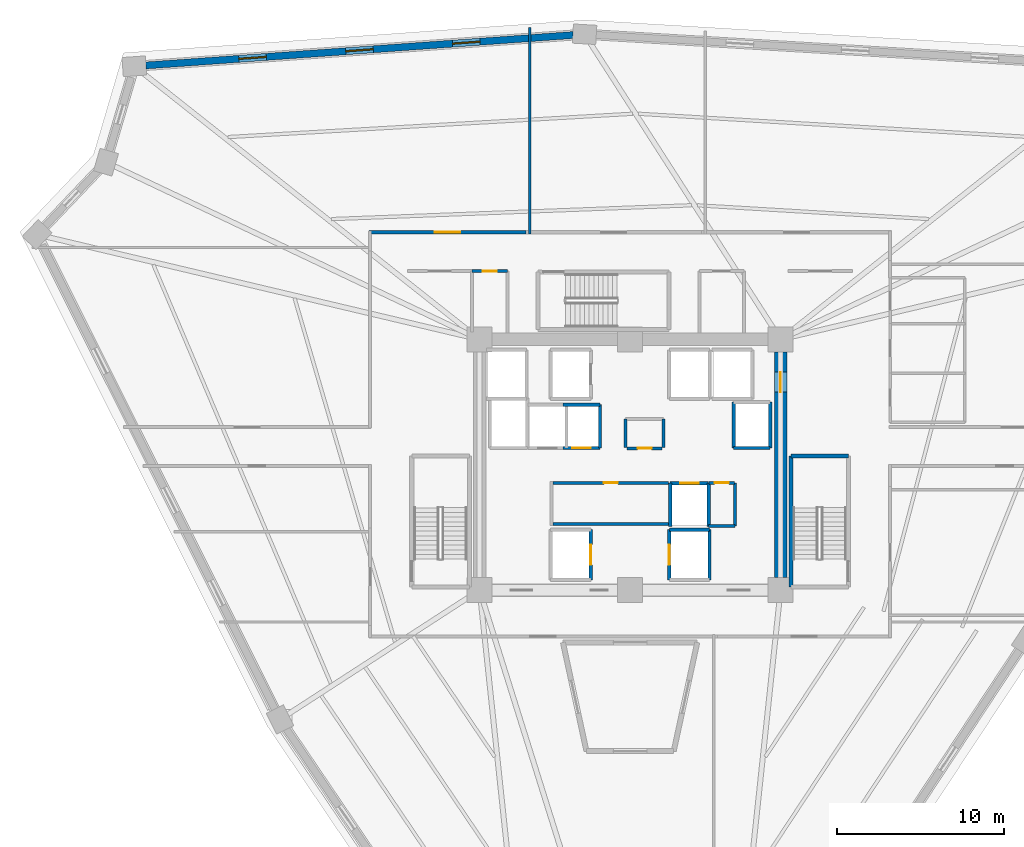
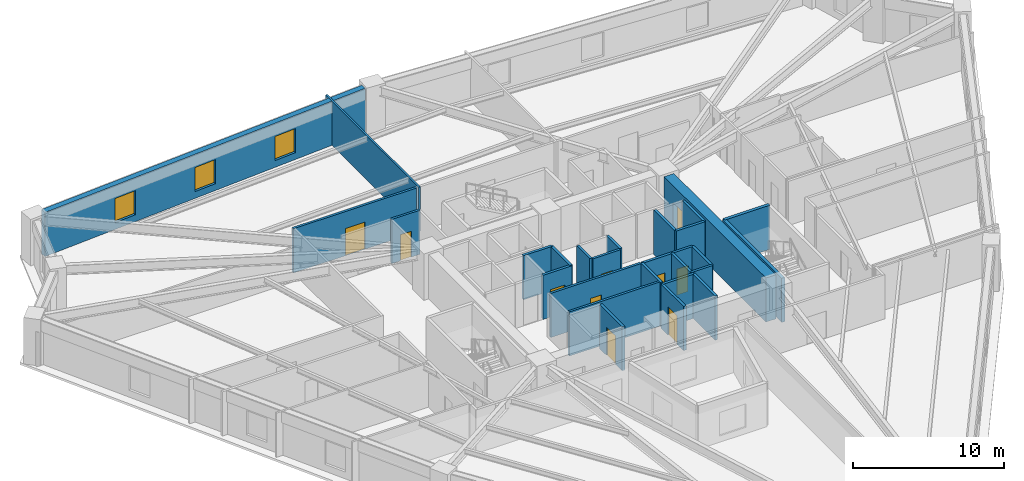
# One storey, part 5 of 9: 28 walls, 10 doors, 3 windows, 13 openings.
"""IFC4 building model written with IfcOpenShell, lengths in metres."""

from ifc_helpers import new_model, si_unit, direction, frame, frame_2d, origin, place, context, subcontext, project, spatial, rectangle, extrude, source, transform, mapped, material, layer, layer_set, type_object, element, fill, save


model = new_model("IFC4")

# Units and contexts
model_context = context("Model", 3, precision=1e-05, world=origin(), true_north=direction((0.0, 1.0)))
body_context = subcontext(model_context, "Body", "Model", "MODEL_VIEW")
ifc_project = project(units=[si_unit("LENGTHUNIT", "METRE"), si_unit("AREAUNIT", "SQUARE_METRE"), si_unit("VOLUMEUNIT", "CUBIC_METRE"), si_unit("PLANEANGLEUNIT", "RADIAN"), si_unit("MASSUNIT", "GRAM", prefix="KILO")], contexts=[model_context])

# Site, building, storey
site_placement = place(None, origin())
site = spatial("IfcSite", under=ifc_project, at=site_placement, CompositionType="ELEMENT")
building_placement = place(site_placement, origin())
building = spatial("IfcBuilding", under=site, at=building_placement, Name="Liaohun Quay Tower", CompositionType="ELEMENT")
storey_placement = place(building_placement, frame((0.0, 0.0, 144.0)))
storey = spatial("IfcBuildingStorey", under=building, at=storey_placement, Name="L37", CompositionType="ELEMENT", Elevation=144.0)

# Wall, opening, door
ifc_material_1 = material(Name="Concrete C60", Category="concrete")
ifc_layer_1 = layer(ifc_material_1, 0.75, Name="Concrete C60", Category="concrete")
ifc_layer_set_1 = layer_set([ifc_layer_1], Name="Concrete C60")
wall_type_1 = type_object("IfcWallType", Name="WAL-COR-Z2", PredefinedType="SHEAR", material=ifc_layer_set_1)
wall_1_placement = place(storey_placement, frame((69.0, 60.75, 0.0), z_axis=(0.0, 0.0, 1.0), x_axis=(0.0, -1.0, 0.0)))
wall_1 = element("IfcWall", 1, at=wall_1_placement, inside=storey, type_object=wall_type_1, Name="L37 Central Core Shear Wall E", PredefinedType="SHEAR", context=body_context, shape_type="SweptSolid", body=[
    extrude(rectangle(XDim=13.5, YDim=0.75, at=frame_2d((6.75, 0.0))), origin(), (0.0, 0.0, 1.0), 3.570068359375),
])
shared_shape_1 = source(origin(), body_context, "Body", "SweptSolid", [
    extrude(rectangle(XDim=1.199951171875, YDim=2.199951171875, at=frame_2d((0.60009765625, 1.10009765625))), frame((0.0, 0.385009765625, 0.0), z_axis=(0.0, -1.0, 0.0), x_axis=(1.0, 0.0, 0.0)), (0.0, 0.0, 1.0), 0.77001953125),
])
opening_1_placement = place(wall_1_placement, frame((1.199951171875, 0.0, 0.0)))
opening_1 = element("IfcOpeningElement", 2, at=opening_1_placement, cuts=wall_1, Name="Opening SD1", PredefinedType="OPENING", context=body_context, shape_type="MappedRepresentation", body=[
    mapped(shared_shape_1, transform((0.0, 0.0, 0.0), x_axis=(1.0, 0.0, 0.0), y_axis=(0.0, 1.0, 0.0), z_axis=(0.0, 0.0, 1.0), scale=1.0)),
])
ifc_material_2 = material(Name="Galvanised steel fire door", Category="steel")
door_type_1 = type_object("IfcDoorType", Name="DOR-STR-1200", OperationType="NOTDEFINED", PredefinedType="DOOR", material=ifc_material_2)
shared_shape_2 = source(origin(), body_context, "Body", "SweptSolid", [
    extrude(rectangle(XDim=1.199951171875, YDim=2.199951171875, at=frame_2d((0.60009765625, 1.10009765625))), frame((0.0, 0.02490234375, 0.0), z_axis=(0.0, -1.0, 0.0), x_axis=(1.0, 0.0, 0.0)), (0.0, 0.0, 1.0), 0.050048828125),
])
door_1_placement = place(opening_1_placement, origin())
door_1 = element("IfcDoor", 3, at=door_1_placement, inside=storey, type_object=door_type_1, Name="L37 North-East Core Lobby Smokeproof Door", OperationType="SINGLE_SWING_LEFT", OverallHeight=2.199951171875, OverallWidth=1.199951171875, PredefinedType="DOOR", context=body_context, shape_type="MappedRepresentation", body=[
    mapped(shared_shape_2, transform((0.0, 0.0, 0.0), x_axis=(1.0, 0.0, 0.0), y_axis=(0.0, 1.0, 0.0), z_axis=(0.0, 0.0, 1.0), scale=1.0)),
])
fill(opening_1, door_1)

# Wall, openings, windows
ifc_material_3 = material(Name="Precast concrete C50 insulated sandwich", Category="concrete")
ifc_layer_2 = layer(ifc_material_3, 0.419921875, Name="Precast concrete C50 insulated sandwich", Category="concrete")
ifc_layer_set_2 = layer_set([ifc_layer_2], Name="Precast concrete C50 insulated sandwich")
wall_type_2 = type_object("IfcWallType", Name="WAL-EXT-Z12", PredefinedType="SOLIDWALL", material=ifc_layer_set_2)
wall_2_placement = place(storey_placement, frame((56.590087890625, 79.705078125, 0.0), z_axis=(0.0, 0.0, 1.0), x_axis=(-0.997476660497, -0.070995153099, 0.0)))
wall_2 = element("IfcWall", 4, at=wall_2_placement, inside=storey, type_object=wall_type_2, Name="L37 Brutalist Precast Pier Wall 07", PredefinedType="SOLIDWALL", context=body_context, shape_type="SweptSolid", body=[
    extrude(rectangle(XDim=25.622802734375, YDim=0.419921875, at=frame_2d((12.8115234375, 0.0))), origin(), (0.0, 0.0, 1.0), 3.570068359375),
])
shared_shape_3 = source(origin(), body_context, "Body", "SweptSolid", [
    extrude(rectangle(XDim=1.64990234375, YDim=1.949951171875, at=frame_2d((0.824951171875, 0.97509765625))), frame((0.0, 0.219970703125, 0.0), z_axis=(0.0, -1.0, 0.0), x_axis=(1.0, 0.0, 0.0)), (0.0, 0.0, 1.0), 0.43994140625),
])
opening_2_placement = place(wall_2_placement, frame((5.5810546875, 0.0, 0.550048828125)))
opening_2 = element("IfcOpeningElement", 5, at=opening_2_placement, cuts=wall_2, Name="Opening W02", PredefinedType="OPENING", context=body_context, shape_type="MappedRepresentation", body=[
    mapped(shared_shape_3, transform((0.0, 0.0, 0.0), x_axis=(1.0, 0.0, 0.0), y_axis=(0.0, 1.0, 0.0), z_axis=(0.0, 0.0, 1.0), scale=1.0)),
])
opening_3_placement = place(wall_2_placement, frame((11.986083984375, 0.0, 0.550048828125)))
opening_3 = element("IfcOpeningElement", 6, at=opening_3_placement, cuts=wall_2, Name="Opening W02", PredefinedType="OPENING", context=body_context, shape_type="MappedRepresentation", body=[
    mapped(shared_shape_3, transform((0.0, 0.0, 0.0), x_axis=(1.0, 0.0, 0.0), y_axis=(0.0, 1.0, 0.0), z_axis=(0.0, 0.0, 1.0), scale=1.0)),
])
opening_4_placement = place(wall_2_placement, frame((18.39208984375, 0.0, 0.550048828125)))
opening_4 = element("IfcOpeningElement", 7, at=opening_4_placement, cuts=wall_2, Name="Opening W02", PredefinedType="OPENING", context=body_context, shape_type="MappedRepresentation", body=[
    mapped(shared_shape_3, transform((0.0, 0.0, 0.0), x_axis=(1.0, 0.0, 0.0), y_axis=(0.0, 1.0, 0.0), z_axis=(0.0, 0.0, 1.0), scale=1.0)),
])
ifc_material_4 = material(Name="Triple Low-E argon glazing in thermally broken aluminium", Category="aluminium")
window_type = type_object("IfcWindowType", Name="WIN-PUN-Z2", PartitioningType="DOUBLE_PANEL_VERTICAL", PredefinedType="WINDOW", material=ifc_material_4)
shared_shape_4 = source(origin(), body_context, "Body", "SweptSolid", [
    extrude(rectangle(XDim=1.64990234375, YDim=1.949951171875, at=frame_2d((0.824951171875, 0.97509765625))), frame((0.0, 0.030029296875, 0.0), z_axis=(0.0, -1.0, 0.0), x_axis=(1.0, 0.0, 0.0)), (0.0, 0.0, 1.0), 0.06005859375),
])
window_1_placement = place(opening_2_placement, origin())
window_1 = element("IfcWindow", 8, at=window_1_placement, inside=storey, type_object=window_type, Name="L37 Recessed Cold-Climate Punched Window 07-1", OverallHeight=1.949951171875, OverallWidth=1.64990234375, PartitioningType="DOUBLE_PANEL_VERTICAL", PredefinedType="WINDOW", context=body_context, shape_type="MappedRepresentation", body=[
    mapped(shared_shape_4, transform((0.0, 0.0, 0.0), x_axis=(1.0, 0.0, 0.0), y_axis=(0.0, 1.0, 0.0), z_axis=(0.0, 0.0, 1.0), scale=1.0)),
])
fill(opening_2, window_1)
window_2_placement = place(opening_3_placement, origin())
window_2 = element("IfcWindow", 9, at=window_2_placement, inside=storey, type_object=window_type, Name="L37 Recessed Cold-Climate Punched Window 07-2", OverallHeight=1.949951171875, OverallWidth=1.64990234375, PartitioningType="DOUBLE_PANEL_VERTICAL", PredefinedType="WINDOW", context=body_context, shape_type="MappedRepresentation", body=[
    mapped(shared_shape_4, transform((0.0, 0.0, 0.0), x_axis=(1.0, 0.0, 0.0), y_axis=(0.0, 1.0, 0.0), z_axis=(0.0, 0.0, 1.0), scale=1.0)),
])
fill(opening_3, window_2)
window_3_placement = place(opening_4_placement, origin())
window_3 = element("IfcWindow", 10, at=window_3_placement, inside=storey, type_object=window_type, Name="L37 Recessed Cold-Climate Punched Window 07-3", OverallHeight=1.949951171875, OverallWidth=1.64990234375, PartitioningType="DOUBLE_PANEL_VERTICAL", PredefinedType="WINDOW", context=body_context, shape_type="MappedRepresentation", body=[
    mapped(shared_shape_4, transform((0.0, 0.0, 0.0), x_axis=(1.0, 0.0, 0.0), y_axis=(0.0, 1.0, 0.0), z_axis=(0.0, 0.0, 1.0), scale=1.0)),
])
fill(opening_4, window_3)

# Wall, opening, door
ifc_material_5 = material(Name="Autoclaved aerated concrete blockwork", Category="masonry")
ifc_layer_3 = layer(ifc_material_5, 0.179931640625, Name="Autoclaved aerated concrete blockwork", Category="masonry")
ifc_layer_set_3 = layer_set([ifc_layer_3], Name="Autoclaved aerated concrete blockwork")
wall_type_3 = type_object("IfcWallType", Name="WAL-PRT-COR", PredefinedType="PARTITIONING", material=ifc_layer_set_3)
wall_3_placement = place(storey_placement, frame((55.389892578125, 52.919921875, 0.0), z_axis=(0.0, 0.0, 1.0), x_axis=(1.0, 0.0, 0.0)))
wall_3 = element("IfcWall", 11, at=wall_3_placement, inside=storey, type_object=wall_type_3, Name="L37 Interior Partition Wall 001", PredefinedType="PARTITIONING", context=body_context, shape_type="SweptSolid", body=[
    extrude(rectangle(XDim=6.91015625, YDim=0.179931640625, at=frame_2d((3.455078125, 0.0))), origin(), (0.0, 0.0, 1.0), 3.570068359375),
])
shared_shape_5 = source(origin(), body_context, "Body", "SweptSolid", [
    extrude(rectangle(XDim=0.85009765625, YDim=2.10009765625, at=frame_2d((0.425048828125, 1.050048828125))), frame((0.0, 0.099853515625, 0.0), z_axis=(0.0, -1.0, 0.0), x_axis=(1.0, 0.0, 0.0)), (0.0, 0.0, 1.0), 0.199951171875),
])
opening_5_placement = place(wall_3_placement, frame((3.034912109375, 0.0, 0.0)))
opening_5 = element("IfcOpeningElement", 12, at=opening_5_placement, cuts=wall_3, Name="Opening AD1", PredefinedType="OPENING", context=body_context, shape_type="MappedRepresentation", body=[
    mapped(shared_shape_5, transform((0.0, 0.0, 0.0), x_axis=(1.0, 0.0, 0.0), y_axis=(0.0, 1.0, 0.0), z_axis=(0.0, 0.0, 1.0), scale=1.0)),
])
ifc_material_6 = material(Name="Steel riser inspection fire door", Category="steel")
door_type_2 = type_object("IfcDoorType", Name="DOR-SHF-850", OperationType="NOTDEFINED", PredefinedType="DOOR", material=ifc_material_6)
shared_shape_6 = source(origin(), body_context, "Body", "SweptSolid", [
    extrude(rectangle(XDim=0.85009765625, YDim=2.10009765625, at=frame_2d((0.425048828125, 1.050048828125))), frame((0.0, 0.02490234375, 0.0), z_axis=(0.0, -1.0, 0.0), x_axis=(1.0, 0.0, 0.0)), (0.0, 0.0, 1.0), 0.050048828125),
])
door_2_placement = place(opening_5_placement, origin())
door_2 = element("IfcDoor", 13, at=door_2_placement, inside=storey, type_object=door_type_2, Name="L37 Core Tenant Storage and Archive Room Door", OperationType="SINGLE_SWING_RIGHT", OverallHeight=2.10009765625, OverallWidth=0.85009765625, PredefinedType="DOOR", context=body_context, shape_type="MappedRepresentation", body=[
    mapped(shared_shape_6, transform((0.0, 0.0, 0.0), x_axis=(1.0, 0.0, 0.0), y_axis=(0.0, 1.0, 0.0), z_axis=(0.0, 0.0, 1.0), scale=1.0)),
])
fill(opening_5, door_2)

wall_4_placement = place(storey_placement, frame((59.81005859375, 54.97998046875, 0.0), z_axis=(0.0, 0.0, 1.0), x_axis=(1.0, 0.0, 0.0)))
wall_4 = element("IfcWall", 14, at=wall_4_placement, inside=storey, type_object=wall_type_3, Name="L37 Interior Partition Wall 002", PredefinedType="PARTITIONING", context=body_context, shape_type="SweptSolid", body=[
    extrude(rectangle(XDim=2.10986328125, YDim=0.179931640625, at=frame_2d((1.054931640625, 0.0))), origin(), (0.0, 0.0, 1.0), 3.570068359375),
])
opening_6_placement = place(wall_4_placement, frame((0.635009765625, 0.0, 0.0)))
opening_6 = element("IfcOpeningElement", 15, at=opening_6_placement, cuts=wall_4, Name="Opening AD1", PredefinedType="OPENING", context=body_context, shape_type="MappedRepresentation", body=[
    mapped(shared_shape_5, transform((0.0, 0.0, 0.0), x_axis=(1.0, 0.0, 0.0), y_axis=(0.0, 1.0, 0.0), z_axis=(0.0, 0.0, 1.0), scale=1.0)),
])
door_3_placement = place(opening_6_placement, origin())
door_3 = element("IfcDoor", 16, at=door_3_placement, inside=storey, type_object=door_type_2, Name="L37 Electrical Meter Room Door", OperationType="SINGLE_SWING_LEFT", OverallHeight=2.10009765625, OverallWidth=0.85009765625, PredefinedType="DOOR", context=body_context, shape_type="MappedRepresentation", body=[
    mapped(shared_shape_6, transform((0.0, 0.0, 0.0), x_axis=(1.0, 0.0, 0.0), y_axis=(0.0, 1.0, 0.0), z_axis=(0.0, 0.0, 1.0), scale=1.0)),
])
fill(opening_6, door_3)

wall_5_placement = place(storey_placement, frame((64.719970703125, 52.919921875, 0.0), z_axis=(0.0, 0.0, 1.0), x_axis=(1.0, 0.0, 0.0)))
wall_5 = element("IfcWall", 17, at=wall_5_placement, inside=storey, type_object=wall_type_3, Name="L37 Interior Partition Wall 003", PredefinedType="PARTITIONING", context=body_context, shape_type="SweptSolid", body=[
    extrude(rectangle(XDim=1.530029296875, YDim=0.179931640625, at=frame_2d((0.76513671875, 0.0))), origin(), (0.0, 0.0, 1.0), 3.570068359375),
])
opening_7_placement = place(wall_5_placement, frame((0.340087890625, 0.0, 0.0)))
opening_7 = element("IfcOpeningElement", 18, at=opening_7_placement, cuts=wall_5, Name="Opening AD1", PredefinedType="OPENING", context=body_context, shape_type="MappedRepresentation", body=[
    mapped(shared_shape_5, transform((0.0, 0.0, 0.0), x_axis=(1.0, 0.0, 0.0), y_axis=(0.0, 1.0, 0.0), z_axis=(0.0, 0.0, 1.0), scale=1.0)),
])
door_4_placement = place(opening_7_placement, origin())
door_4 = element("IfcDoor", 19, at=door_4_placement, inside=storey, type_object=door_type_2, Name="L37 BMS Data Riser Room Door", OperationType="SINGLE_SWING_RIGHT", OverallHeight=2.10009765625, OverallWidth=0.85009765625, PredefinedType="DOOR", context=body_context, shape_type="MappedRepresentation", body=[
    mapped(shared_shape_6, transform((0.0, 0.0, 0.0), x_axis=(1.0, 0.0, 0.0), y_axis=(0.0, 1.0, 0.0), z_axis=(0.0, 0.0, 1.0), scale=1.0)),
])
fill(opening_7, door_4)

wall_6_placement = place(storey_placement, frame((50.5400390625, 65.580078125, 0.0), z_axis=(0.0, 0.0, 1.0), x_axis=(1.0, 0.0, 0.0)))
wall_6 = element("IfcWall", 20, at=wall_6_placement, inside=storey, type_object=wall_type_3, Name="L37 Interior Partition Wall 007", PredefinedType="PARTITIONING", context=body_context, shape_type="SweptSolid", body=[
    extrude(rectangle(XDim=2.139892578125, YDim=0.179931640625, at=frame_2d((1.06982421875, 0.0))), origin(), (0.0, 0.0, 1.0), 3.570068359375),
])
opening_8_placement = place(wall_6_placement, frame((0.64501953125, 0.0, 0.0)))
opening_8 = element("IfcOpeningElement", 21, at=opening_8_placement, cuts=wall_6, Name="Opening AD1", PredefinedType="OPENING", context=body_context, shape_type="MappedRepresentation", body=[
    mapped(shared_shape_5, transform((0.0, 0.0, 0.0), x_axis=(1.0, 0.0, 0.0), y_axis=(0.0, 1.0, 0.0), z_axis=(0.0, 0.0, 1.0), scale=1.0)),
])
door_5_placement = place(opening_8_placement, origin())
door_5 = element("IfcDoor", 22, at=door_5_placement, inside=storey, type_object=door_type_2, Name="L37 North-West Supply Store Door", OperationType="SINGLE_SWING_RIGHT", OverallHeight=2.10009765625, OverallWidth=0.85009765625, PredefinedType="DOOR", context=body_context, shape_type="MappedRepresentation", body=[
    mapped(shared_shape_6, transform((0.0, 0.0, 0.0), x_axis=(1.0, 0.0, 0.0), y_axis=(0.0, 1.0, 0.0), z_axis=(0.0, 0.0, 1.0), scale=1.0)),
])
fill(opening_8, door_5)

wall_7_placement = place(storey_placement, frame((44.3701171875, 67.909912109375, 0.0), z_axis=(0.0, 0.0, 1.0), x_axis=(1.0, 0.0, 0.0)))
wall_7 = element("IfcWall", 23, at=wall_7_placement, inside=storey, type_object=wall_type_3, Name="L37 Interior Partition Wall 014", PredefinedType="PARTITIONING", context=body_context, shape_type="SweptSolid", body=[
    extrude(rectangle(XDim=9.414794921875, YDim=0.179931640625, at=frame_2d((4.70751953125, 0.0))), origin(), (0.0, 0.0, 1.0), 3.570068359375),
])
shared_shape_7 = source(origin(), body_context, "Body", "SweptSolid", [
    extrude(rectangle(XDim=1.5, YDim=2.199951171875, at=frame_2d((0.75, 1.10009765625))), frame((0.0, 0.099853515625, 0.0), z_axis=(0.0, -1.0, 0.0), x_axis=(1.0, 0.0, 0.0)), (0.0, 0.0, 1.0), 0.199951171875),
])
opening_9_placement = place(wall_7_placement, frame((3.95703125, 0.0, 0.0)))
opening_9 = element("IfcOpeningElement", 24, at=opening_9_placement, cuts=wall_7, Name="Opening OD2", PredefinedType="OPENING", context=body_context, shape_type="MappedRepresentation", body=[
    mapped(shared_shape_7, transform((0.0, 0.0, 0.0), x_axis=(1.0, 0.0, 0.0), y_axis=(0.0, 1.0, 0.0), z_axis=(0.0, 0.0, 1.0), scale=1.0)),
])
ifc_material_7 = material(Name="Acoustic oak veneer double door")
door_type_3 = type_object("IfcDoorType", Name="DOR-OFF-1500", OperationType="DOUBLE_DOOR_SINGLE_SWING", PredefinedType="DOOR", material=ifc_material_7)
shared_shape_8 = source(origin(), body_context, "Body", "SweptSolid", [
    extrude(rectangle(XDim=1.5, YDim=2.199951171875, at=frame_2d((0.75, 1.10009765625))), frame((0.0, 0.02490234375, 0.0), z_axis=(0.0, -1.0, 0.0), x_axis=(1.0, 0.0, 0.0)), (0.0, 0.0, 1.0), 0.050048828125),
])
door_6_placement = place(opening_9_placement, origin())
door_6 = element("IfcDoor", 25, at=door_6_placement, inside=storey, type_object=door_type_3, Name="L37 Project Collaboration Studio 04 Door", OperationType="DOUBLE_DOOR_SINGLE_SWING", OverallHeight=2.199951171875, OverallWidth=1.5, PredefinedType="DOOR", context=body_context, shape_type="MappedRepresentation", body=[
    mapped(shared_shape_8, transform((0.0, 0.0, 0.0), x_axis=(1.0, 0.0, 0.0), y_axis=(0.0, 1.0, 0.0), z_axis=(0.0, 0.0, 1.0), scale=1.0)),
])
fill(opening_9, door_6)

# Walls
for number, where, z_axis, x_axis, name in (
    (26, (59.719970703125, 55.02001953125, 0.0), (0.0, 0.0, 1.0), (0.0, 1.0, 0.0), "L37 Interior Partition Wall 022"),
    (27, (62.010009765625, 55.02001953125, 0.0), (0.0, 0.0, 1.0), (0.0, 1.0, 0.0), "L37 Interior Partition Wall 023"),
):
    element("IfcWall", number, at=place(storey_placement, frame(where, z_axis=z_axis, x_axis=x_axis)), inside=storey, type_object=wall_type_3, Name=name, PredefinedType="PARTITIONING", context=body_context, shape_type="SweptSolid", body=[
        extrude(rectangle(XDim=1.72998046875, YDim=0.179931640625, at=frame_2d((0.864990234375, 0.0))), origin(), (0.0, 0.0, 1.0), 3.570068359375),
    ])
wall_8_placement = place(storey_placement, frame((64.68994140625, 50.35009765625, 0.0), z_axis=(0.0, 0.0, 1.0), x_axis=(1.0, 0.0, 0.0)))
element("IfcWall", 28, at=wall_8_placement, inside=storey, type_object=wall_type_3, Name="L37 Interior Partition Wall 025", PredefinedType="PARTITIONING", context=body_context, shape_type="SweptSolid", body=[
    extrude(rectangle(XDim=1.590087890625, YDim=0.179931640625, at=frame_2d((0.794921875, 0.0))), origin(), (0.0, 0.0, 1.0), 3.570068359375),
])
wall_9_placement = place(storey_placement, frame((66.280029296875, 50.35009765625, 0.0), z_axis=(0.0, 0.0, 1.0), x_axis=(0.0, 1.0, 0.0)))
element("IfcWall", 29, at=wall_9_placement, inside=storey, type_object=wall_type_3, Name="L37 Interior Partition Wall 026", PredefinedType="PARTITIONING", context=body_context, shape_type="SweptSolid", body=[
    extrude(rectangle(XDim=2.56982421875, YDim=0.179931640625, at=frame_2d((1.284912109375, 0.0))), origin(), (0.0, 0.0, 1.0), 3.570068359375),
])
wall_10_placement = place(storey_placement, frame((55.389892578125, 50.449951171875, 0.0), z_axis=(0.0, 0.0, 1.0), x_axis=(1.0, 0.0, 0.0)))
element("IfcWall", 30, at=wall_10_placement, inside=storey, type_object=wall_type_3, Name="L37 Interior Partition Wall 055", PredefinedType="PARTITIONING", context=body_context, shape_type="SweptSolid", body=[
    extrude(rectangle(XDim=6.91015625, YDim=0.179931640625, at=frame_2d((3.455078125, 0.0))), origin(), (0.0, 0.0, 1.0), 3.570068359375),
])
ifc_material_8 = material(Name="Gypsum board on twin steel studs", Category="steel")
ifc_layer_4 = layer(ifc_material_8, 0.139892578125, Name="Gypsum board on twin steel studs", Category="steel")
ifc_layer_set_4 = layer_set([ifc_layer_4], Name="Gypsum board on twin steel studs")
wall_type_4 = type_object("IfcWallType", Name="WAL-PRT-OFF", PredefinedType="PARTITIONING", material=ifc_layer_set_4)
wall_11_placement = place(storey_placement, frame((54.0, 67.81005859375, 0.0), z_axis=(0.0, 0.0, 1.0), x_axis=(0.0, 1.0, 0.0)))
element("IfcWall", 31, at=wall_11_placement, inside=storey, type_object=wall_type_4, Name="L37 Interior Partition Wall 051", PredefinedType="PARTITIONING", context=body_context, shape_type="SweptSolid", body=[
    extrude(rectangle(XDim=12.342041015625, YDim=0.139892578125, at=frame_2d((6.1708984375, 0.0))), origin(), (0.0, 0.0, 1.0), 3.570068359375),
])
ifc_material_9 = material(Name="Concrete C50", Category="concrete")
ifc_layer_5 = layer(ifc_material_9, 0.239990234375, Name="Concrete C50", Category="concrete")
ifc_layer_set_5 = layer_set([ifc_layer_5], Name="Concrete C50")
wall_type_5 = type_object("IfcWallType", Name="WAL-SHF-200", PredefinedType="SOLIDWALL", material=ifc_layer_set_5)
wall_12_placement = place(storey_placement, frame((73.06005859375, 54.52001953125, 0.0), z_axis=(0.0, 0.0, 1.0), x_axis=(-1.0, 0.0, 0.0)))
element("IfcWall", 32, at=wall_12_placement, inside=storey, type_object=wall_type_5, Name="L37 Stairwell ST-2 Structural Core Wall N", PredefinedType="SOLIDWALL", context=body_context, shape_type="SweptSolid", body=[
    extrude(rectangle(XDim=3.43994140625, YDim=0.239990234375, at=frame_2d((1.719970703125, 0.0))), origin(), (0.0, 0.0, 1.0), 3.570068359375),
])
wall_13_placement = place(storey_placement, frame((69.6201171875, 54.52001953125, 0.0), z_axis=(0.0, 0.0, 1.0), x_axis=(0.0, -1.0, 0.0)))
element("IfcWall", 33, at=wall_13_placement, inside=storey, type_object=wall_type_5, Name="L37 Stairwell ST-2 Structural Core Wall W", PredefinedType="SOLIDWALL", context=body_context, shape_type="SweptSolid", body=[
    extrude(rectangle(XDim=7.820068359375, YDim=0.239990234375, at=frame_2d((3.91015625, 0.0))), origin(), (0.0, 0.0, 1.0), 3.570068359375),
])

# Wall, opening, door
wall_14_placement = place(storey_placement, frame((57.64990234375, 47.1201171875, 0.0), z_axis=(0.0, 0.0, 1.0), x_axis=(0.0, 1.0, 0.0)))
wall_14 = element("IfcWall", 34, at=wall_14_placement, inside=storey, type_object=wall_type_5, Name="L37 Lift FF-01 Hoistway Wall E", PredefinedType="SOLIDWALL", context=body_context, shape_type="SweptSolid", body=[
    extrude(rectangle(XDim=3.0, YDim=0.199951171875, at=frame_2d((1.5, 0.0))), origin(), (0.0, 0.0, 1.0), 3.570068359375),
])
shared_shape_9 = source(origin(), body_context, "Body", "SweptSolid", [
    extrude(rectangle(XDim=1.199951171875, YDim=2.300048828125, at=frame_2d((0.60009765625, 1.14990234375))), frame((0.0, 0.10986328125, 0.0), z_axis=(0.0, -1.0, 0.0), x_axis=(1.0, 0.0, 0.0)), (0.0, 0.0, 1.0), 0.219970703125),
])
opening_10_placement = place(wall_14_placement, frame((0.89990234375, 0.0, 0.0)))
opening_10 = element("IfcOpeningElement", 35, at=opening_10_placement, cuts=wall_14, Name="Opening LD2", PredefinedType="OPENING", context=body_context, shape_type="MappedRepresentation", body=[
    mapped(shared_shape_9, transform((0.0, 0.0, 0.0), x_axis=(1.0, 0.0, 0.0), y_axis=(0.0, 1.0, 0.0), z_axis=(0.0, 0.0, 1.0), scale=1.0)),
])
ifc_material_10 = material(Name="Brushed stainless steel stretcher landing door", Category="steel")
door_type_4 = type_object("IfcDoorType", Name="DOR-LFT-1200", OperationType="SLIDING_TO_LEFT", PredefinedType="DOOR", material=ifc_material_10)
shared_shape_10 = source(origin(), body_context, "Body", "SweptSolid", [
    extrude(rectangle(XDim=1.199951171875, YDim=2.300048828125, at=frame_2d((0.60009765625, 1.14990234375))), frame((0.0, 0.02490234375, 0.0), z_axis=(0.0, -1.0, 0.0), x_axis=(1.0, 0.0, 0.0)), (0.0, 0.0, 1.0), 0.050048828125),
])
door_7_placement = place(opening_10_placement, origin())
door_7 = element("IfcDoor", 36, at=door_7_placement, inside=storey, type_object=door_type_4, Name="L37 Lift FF-01 Sliding Landing Door", OperationType="SLIDING_TO_LEFT", OverallHeight=2.300048828125, OverallWidth=1.199951171875, PredefinedType="DOOR", context=body_context, shape_type="MappedRepresentation", body=[
    mapped(shared_shape_10, transform((0.0, 0.0, 0.0), x_axis=(1.0, 0.0, 0.0), y_axis=(0.0, 1.0, 0.0), z_axis=(0.0, 0.0, 1.0), scale=1.0)),
])
fill(opening_10, door_7)

# Walls
wall_15_placement = place(storey_placement, frame((64.75, 47.1201171875, 0.0), z_axis=(0.0, 0.0, 1.0), x_axis=(0.0, 1.0, 0.0)))
element("IfcWall", 37, at=wall_15_placement, inside=storey, type_object=wall_type_5, Name="L37 Lift FF-02 Hoistway Wall E", PredefinedType="SOLIDWALL", context=body_context, shape_type="SweptSolid", body=[
    extrude(rectangle(XDim=3.0, YDim=0.199951171875, at=frame_2d((1.5, 0.0))), origin(), (0.0, 0.0, 1.0), 3.570068359375),
])
wall_16_placement = place(storey_placement, frame((64.75, 50.1201171875, 0.0), z_axis=(0.0, 0.0, 1.0), x_axis=(-1.0, 0.0, 0.0)))
element("IfcWall", 38, at=wall_16_placement, inside=storey, type_object=wall_type_5, Name="L37 Lift FF-02 Hoistway Wall N", PredefinedType="SOLIDWALL", context=body_context, shape_type="SweptSolid", body=[
    extrude(rectangle(XDim=2.39990234375, YDim=0.199951171875, at=frame_2d((1.199951171875, 0.0))), origin(), (0.0, 0.0, 1.0), 3.570068359375),
])

# Wall, opening, door
wall_17_placement = place(storey_placement, frame((62.35009765625, 50.1201171875, 0.0), z_axis=(0.0, 0.0, 1.0), x_axis=(0.0, -1.0, 0.0)))
wall_17 = element("IfcWall", 39, at=wall_17_placement, inside=storey, type_object=wall_type_5, Name="L37 Lift FF-02 Hoistway Wall W", PredefinedType="SOLIDWALL", context=body_context, shape_type="SweptSolid", body=[
    extrude(rectangle(XDim=3.0, YDim=0.199951171875, at=frame_2d((1.5, 0.0))), origin(), (0.0, 0.0, 1.0), 3.570068359375),
])
opening_11_placement = place(wall_17_placement, frame((0.89990234375, 0.0, 0.0)))
opening_11 = element("IfcOpeningElement", 40, at=opening_11_placement, cuts=wall_17, Name="Opening LD2", PredefinedType="OPENING", context=body_context, shape_type="MappedRepresentation", body=[
    mapped(shared_shape_9, transform((0.0, 0.0, 0.0), x_axis=(1.0, 0.0, 0.0), y_axis=(0.0, 1.0, 0.0), z_axis=(0.0, 0.0, 1.0), scale=1.0)),
])
door_8_placement = place(opening_11_placement, origin())
door_8 = element("IfcDoor", 41, at=door_8_placement, inside=storey, type_object=door_type_4, Name="L37 Lift FF-02 Sliding Landing Door", OperationType="SLIDING_TO_LEFT", OverallHeight=2.300048828125, OverallWidth=1.199951171875, PredefinedType="DOOR", context=body_context, shape_type="MappedRepresentation", body=[
    mapped(shared_shape_10, transform((0.0, 0.0, 0.0), x_axis=(1.0, 0.0, 0.0), y_axis=(0.0, 1.0, 0.0), z_axis=(0.0, 0.0, 1.0), scale=1.0)),
])
fill(opening_11, door_8)

# Walls
wall_18_placement = place(storey_placement, frame((66.199951171875, 55.0, 0.0), z_axis=(0.0, 0.0, 1.0), x_axis=(1.0, 0.0, 0.0)))
element("IfcWall", 42, at=wall_18_placement, inside=storey, type_object=wall_type_5, Name="L37 Lift SH-03 Hoistway Wall S", PredefinedType="SOLIDWALL", context=body_context, shape_type="SweptSolid", body=[
    extrude(rectangle(XDim=2.179931640625, YDim=0.199951171875, at=frame_2d((1.08984375, 0.0))), origin(), (0.0, 0.0, 1.0), 3.570068359375),
])
for number, where, z_axis, x_axis, name in (
    (43, (68.3798828125, 55.0, 0.0), (0.0, 0.0, 1.0), (0.0, 1.0, 0.0), "L37 Lift SH-03 Hoistway Wall E"),
    (44, (66.199951171875, 57.75, 0.0), (0.0, 0.0, 1.0), (0.0, -1.0, 0.0), "L37 Lift SH-03 Hoistway Wall W"),
):
    element("IfcWall", number, at=place(storey_placement, frame(where, z_axis=z_axis, x_axis=x_axis)), inside=storey, type_object=wall_type_5, Name=name, PredefinedType="SOLIDWALL", context=body_context, shape_type="SweptSolid", body=[
        extrude(rectangle(XDim=2.75, YDim=0.199951171875, at=frame_2d((1.375, 0.0))), origin(), (0.0, 0.0, 1.0), 3.570068359375),
    ])
wall_19_placement = place(storey_placement, frame((64.699951171875, 50.300048828125, 0.0), z_axis=(0.0, 0.0, 1.0), x_axis=(0.0, 1.0, 0.0)))
element("IfcWall", 45, at=wall_19_placement, inside=storey, type_object=wall_type_5, Name="L37 Lift PL-2A Hoistway Wall E", PredefinedType="SOLIDWALL", context=body_context, shape_type="SweptSolid", body=[
    extrude(rectangle(XDim=2.599853515625, YDim=0.199951171875, at=frame_2d((1.2998046875, 0.0))), origin(), (0.0, 0.0, 1.0), 3.570068359375),
])

# Wall, opening, door
wall_20_placement = place(storey_placement, frame((64.699951171875, 52.89990234375, 0.0), z_axis=(0.0, 0.0, 1.0), x_axis=(-1.0, 0.0, 0.0)))
wall_20 = element("IfcWall", 46, at=wall_20_placement, inside=storey, type_object=wall_type_5, Name="L37 Lift PL-2A Hoistway Wall N", PredefinedType="SOLIDWALL", context=body_context, shape_type="SweptSolid", body=[
    extrude(rectangle(XDim=2.300048828125, YDim=0.199951171875, at=frame_2d((1.14990234375, 0.0))), origin(), (0.0, 0.0, 1.0), 3.570068359375),
])
shared_shape_11 = source(origin(), body_context, "Body", "SweptSolid", [
    extrude(rectangle(XDim=1.10009765625, YDim=2.199951171875, at=frame_2d((0.550048828125, 1.10009765625))), frame((0.0, 0.10986328125, 0.0), z_axis=(0.0, -1.0, 0.0), x_axis=(1.0, 0.0, 0.0)), (0.0, 0.0, 1.0), 0.219970703125),
])
opening_12_placement = place(wall_20_placement, frame((0.60009765625, 0.0, 0.0)))
opening_12 = element("IfcOpeningElement", 47, at=opening_12_placement, cuts=wall_20, Name="Opening LD1", PredefinedType="OPENING", context=body_context, shape_type="MappedRepresentation", body=[
    mapped(shared_shape_11, transform((0.0, 0.0, 0.0), x_axis=(1.0, 0.0, 0.0), y_axis=(0.0, 1.0, 0.0), z_axis=(0.0, 0.0, 1.0), scale=1.0)),
])
ifc_material_11 = material(Name="Brushed stainless steel landing door", Category="steel")
door_type_5 = type_object("IfcDoorType", Name="DOR-LFT-1100", OperationType="SLIDING_TO_LEFT", PredefinedType="DOOR", material=ifc_material_11)
shared_shape_12 = source(origin(), body_context, "Body", "SweptSolid", [
    extrude(rectangle(XDim=1.10009765625, YDim=2.199951171875, at=frame_2d((0.550048828125, 1.10009765625))), frame((0.0, 0.02490234375, 0.0), z_axis=(0.0, -1.0, 0.0), x_axis=(1.0, 0.0, 0.0)), (0.0, 0.0, 1.0), 0.050048828125),
])
door_9_placement = place(opening_12_placement, origin())
door_9 = element("IfcDoor", 48, at=door_9_placement, inside=storey, type_object=door_type_5, Name="L37 Lift PL-2A Sliding Landing Door", OperationType="SLIDING_TO_LEFT", OverallHeight=2.199951171875, OverallWidth=1.10009765625, PredefinedType="DOOR", context=body_context, shape_type="MappedRepresentation", body=[
    mapped(shared_shape_12, transform((0.0, 0.0, 0.0), x_axis=(1.0, 0.0, 0.0), y_axis=(0.0, 1.0, 0.0), z_axis=(0.0, 0.0, 1.0), scale=1.0)),
])
fill(opening_12, door_9)

# Wall
wall_21_placement = place(storey_placement, frame((62.39990234375, 52.89990234375, 0.0), z_axis=(0.0, 0.0, 1.0), x_axis=(0.0, -1.0, 0.0)))
element("IfcWall", 49, at=wall_21_placement, inside=storey, type_object=wall_type_5, Name="L37 Lift PL-2A Hoistway Wall W", PredefinedType="SOLIDWALL", context=body_context, shape_type="SweptSolid", body=[
    extrude(rectangle(XDim=2.599853515625, YDim=0.199951171875, at=frame_2d((1.2998046875, 0.0))), origin(), (0.0, 0.0, 1.0), 3.570068359375),
])

# Wall, opening, door
wall_22_placement = place(storey_placement, frame((56.0, 55.0, 0.0), z_axis=(0.0, 0.0, 1.0), x_axis=(1.0, 0.0, 0.0)))
wall_22 = element("IfcWall", 50, at=wall_22_placement, inside=storey, type_object=wall_type_5, Name="L37 Lift PL-2C Hoistway Wall S", PredefinedType="SOLIDWALL", context=body_context, shape_type="SweptSolid", body=[
    extrude(rectangle(XDim=2.199951171875, YDim=0.199951171875, at=frame_2d((1.10009765625, 0.0))), origin(), (0.0, 0.0, 1.0), 3.570068359375),
])
opening_13_placement = place(wall_22_placement, frame((0.550048828125, 0.0, 0.0)))
opening_13 = element("IfcOpeningElement", 51, at=opening_13_placement, cuts=wall_22, Name="Opening LD1", PredefinedType="OPENING", context=body_context, shape_type="MappedRepresentation", body=[
    mapped(shared_shape_11, transform((0.0, 0.0, 0.0), x_axis=(1.0, 0.0, 0.0), y_axis=(0.0, 1.0, 0.0), z_axis=(0.0, 0.0, 1.0), scale=1.0)),
])
door_10_placement = place(opening_13_placement, origin())
door_10 = element("IfcDoor", 52, at=door_10_placement, inside=storey, type_object=door_type_5, Name="L37 Lift PL-2C Sliding Landing Door", OperationType="SLIDING_TO_LEFT", OverallHeight=2.199951171875, OverallWidth=1.10009765625, PredefinedType="DOOR", context=body_context, shape_type="MappedRepresentation", body=[
    mapped(shared_shape_12, transform((0.0, 0.0, 0.0), x_axis=(1.0, 0.0, 0.0), y_axis=(0.0, 1.0, 0.0), z_axis=(0.0, 0.0, 1.0), scale=1.0)),
])
fill(opening_13, door_10)

# Walls
wall_23_placement = place(storey_placement, frame((58.199951171875, 55.0, 0.0), z_axis=(0.0, 0.0, 1.0), x_axis=(0.0, 1.0, 0.0)))
element("IfcWall", 53, at=wall_23_placement, inside=storey, type_object=wall_type_5, Name="L37 Lift PL-2C Hoistway Wall E", PredefinedType="SOLIDWALL", context=body_context, shape_type="SweptSolid", body=[
    extrude(rectangle(XDim=2.60009765625, YDim=0.199951171875, at=frame_2d((1.300048828125, 0.0))), origin(), (0.0, 0.0, 1.0), 3.570068359375),
])
wall_24_placement = place(storey_placement, frame((58.199951171875, 57.60009765625, 0.0), z_axis=(0.0, 0.0, 1.0), x_axis=(-1.0, 0.0, 0.0)))
element("IfcWall", 54, at=wall_24_placement, inside=storey, type_object=wall_type_5, Name="L37 Lift PL-2C Hoistway Wall N", PredefinedType="SOLIDWALL", context=body_context, shape_type="SweptSolid", body=[
    extrude(rectangle(XDim=2.199951171875, YDim=0.199951171875, at=frame_2d((1.10009765625, 0.0))), origin(), (0.0, 0.0, 1.0), 3.570068359375),
])

save(model, "model.ifc")
